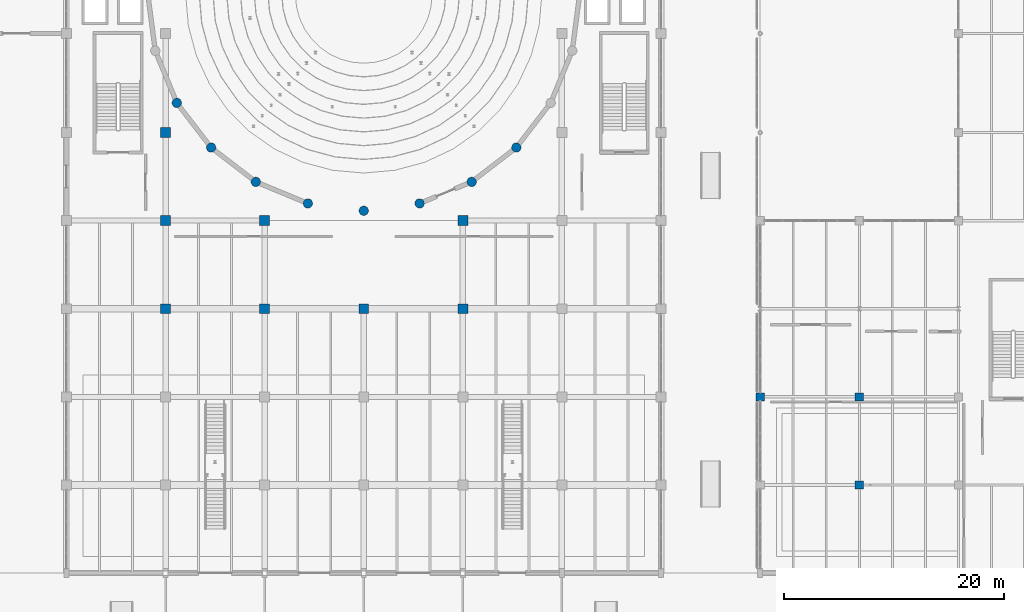
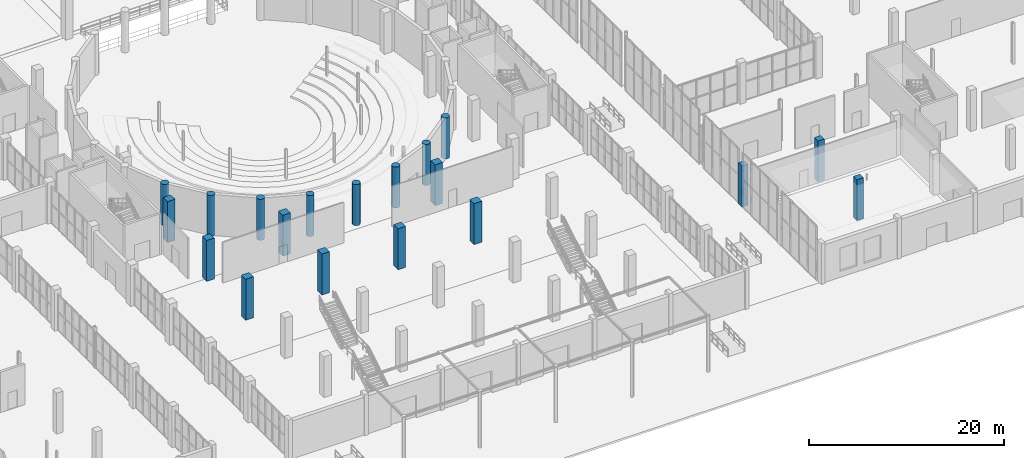
# One storey, part 13 of 103: 19 columns.
"""IFC4 building model written with IfcOpenShell, lengths in metres."""

from ifc_helpers import new_model, si_unit, direction, frame, origin, origin_2d, place, context, subcontext, project, spatial, rectangle, circle, extrude, material, material_profile, profile_set, type_object, element, save


model = new_model("IFC4")

# Units and contexts
model_context = context("Model", 3, precision=1e-05, world=origin(), true_north=direction((0.0, 1.0)))
body_context = subcontext(model_context, "Body", "Model", "MODEL_VIEW")
ifc_project = project(units=[si_unit("LENGTHUNIT", "METRE"), si_unit("AREAUNIT", "SQUARE_METRE"), si_unit("VOLUMEUNIT", "CUBIC_METRE"), si_unit("PLANEANGLEUNIT", "RADIAN"), si_unit("MASSUNIT", "GRAM", prefix="KILO")], contexts=[model_context])

# Site, building, storey
site_placement = place(None, origin())
site = spatial("IfcSite", under=ifc_project, at=site_placement, CompositionType="ELEMENT")
building_placement = place(site_placement, origin())
building = spatial("IfcBuilding", under=site, at=building_placement, Name="Marnock Terrace Opera House", CompositionType="ELEMENT")
storey_placement = place(building_placement, origin())
storey = spatial("IfcBuildingStorey", under=building, at=storey_placement, Name="L00", CompositionType="ELEMENT", Elevation=0.0)

# Columns
ifc_material = material(Name="Concrete N50 (f'c = 50 MPa)", Category="concrete")
ifc_material_profile_1 = material_profile(ifc_material, circle(Radius=0.425048828125, at=origin_2d()))
ifc_profile_set_1 = profile_set([ifc_material_profile_1], Name="Concrete N50 (f'c = 50 MPa)")
column_type_1 = type_object("IfcColumnType", Name="COL-DRUM-850", PredefinedType="COLUMN", material=ifc_profile_set_1)
for number, where, z_axis, x_axis, name in (
    (1, (65.02587890625, 50.699951171875, 0.0), (0.0, 0.0, 1.0), (1.0, 0.0, 0.0), "L00 auditorium drum pier 15"),
    (2, (68.14111328125, 46.64111328125, 0.0), (0.0, 0.0, 1.0), (1.0, 0.0, 0.0), "L00 auditorium drum pier 16"),
    (3, (72.199951171875, 43.52587890625, 0.0), (0.0, 0.0, 1.0), (1.0, 0.0, 0.0), "L00 auditorium drum pier 17"),
    (4, (76.927001953125, 41.568115234375, 0.0), (0.0, 0.0, 1.0), (1.0, 0.0, 0.0), "L00 auditorium drum pier 18"),
    (5, (82.0, 40.89990234375, 0.0), (0.0, 0.0, 1.0), (1.0, 0.0, 0.0), "L00 auditorium drum pier 19"),
    (6, (87.072998046875, 41.568115234375, 0.0), (0.0, 0.0, 1.0), (1.0, 0.0, 0.0), "L00 auditorium drum pier 20"),
    (7, (91.800048828125, 43.52587890625, 0.0), (0.0, 0.0, 1.0), (1.0, 0.0, 0.0), "L00 auditorium drum pier 21"),
    (8, (95.85888671875, 46.64111328125, 0.0), (0.0, 0.0, 1.0), (1.0, 0.0, 0.0), "L00 auditorium drum pier 22"),
):
    element("IfcColumn", number, at=place(storey_placement, frame(where, z_axis=z_axis, x_axis=x_axis)), inside=storey, type_object=column_type_1, Name=name, PredefinedType="COLUMN", context=body_context, shape_type="SweptSolid", body=[
        extrude(circle(Radius=0.425048828125, at=origin_2d()), origin(), (0.0, 0.0, 1.0), 5.1201171875),
    ])
ifc_material_profile_2 = material_profile(ifc_material, rectangle(XDim=0.75, YDim=0.75, at=origin_2d()))
ifc_profile_set_2 = profile_set([ifc_material_profile_2], Name="Concrete N50 (f'c = 50 MPa)")
column_type_2 = type_object("IfcColumnType", Name="COL-RC750", PredefinedType="COLUMN", material=ifc_profile_set_2)
for number, where, z_axis, x_axis, name in (
    (9, (118.0, 24.0, 0.0), (0.0, 0.0, 1.0), (1.0, 0.0, 0.0), "L00 column at (118.0, 24.0)"),
    (10, (127.0, 16.0, 0.0), (0.0, 0.0, 1.0), (1.0, 0.0, 0.0), "L00 column at (127.0, 16.0)"),
    (11, (127.0, 24.0, 0.0), (0.0, 0.0, 1.0), (1.0, 0.0, 0.0), "L00 column at (127.0, 24.0)"),
):
    element("IfcColumn", number, at=place(storey_placement, frame(where, z_axis=z_axis, x_axis=x_axis)), inside=storey, type_object=column_type_2, Name=name, PredefinedType="COLUMN", context=body_context, shape_type="SweptSolid", body=[
        extrude(rectangle(XDim=0.75, YDim=0.75, at=origin_2d()), origin(), (0.0, 0.0, 1.0), 5.1201171875),
    ])
ifc_material_profile_3 = material_profile(ifc_material, rectangle(XDim=0.89990234375, YDim=0.89990234375, at=origin_2d()))
ifc_profile_set_3 = profile_set([ifc_material_profile_3], Name="Concrete N50 (f'c = 50 MPa)")
column_type_3 = type_object("IfcColumnType", Name="COL-RC900", PredefinedType="COLUMN", material=ifc_profile_set_3)
for number, where, z_axis, x_axis, name in (
    (12, (64.0, 32.0, 0.0), (0.0, 0.0, 1.0), (1.0, 0.0, 0.0), "L00 column at (64.0, 32.0)"),
    (13, (64.0, 40.0, 0.0), (0.0, 0.0, 1.0), (1.0, 0.0, 0.0), "L00 column at (64.0, 40.0)"),
    (14, (64.0, 48.0, 0.0), (0.0, 0.0, 1.0), (1.0, 0.0, 0.0), "L00 column at (64.0, 48.0)"),
    (15, (73.0, 32.0, 0.0), (0.0, 0.0, 1.0), (1.0, 0.0, 0.0), "L00 column at (73.0, 32.0)"),
    (16, (73.0, 40.0, 0.0), (0.0, 0.0, 1.0), (1.0, 0.0, 0.0), "L00 column at (73.0, 40.0)"),
    (17, (82.0, 32.0, 0.0), (0.0, 0.0, 1.0), (1.0, 0.0, 0.0), "L00 column at (82.0, 32.0)"),
    (18, (91.0, 32.0, 0.0), (0.0, 0.0, 1.0), (1.0, 0.0, 0.0), "L00 column at (91.0, 32.0)"),
    (19, (91.0, 40.0, 0.0), (0.0, 0.0, 1.0), (1.0, 0.0, 0.0), "L00 column at (91.0, 40.0)"),
):
    element("IfcColumn", number, at=place(storey_placement, frame(where, z_axis=z_axis, x_axis=x_axis)), inside=storey, type_object=column_type_3, Name=name, PredefinedType="COLUMN", context=body_context, shape_type="SweptSolid", body=[
        extrude(rectangle(XDim=0.89990234375, YDim=0.89990234375, at=origin_2d()), origin(), (0.0, 0.0, 1.0), 5.1201171875),
    ])

save(model, "model.ifc")
